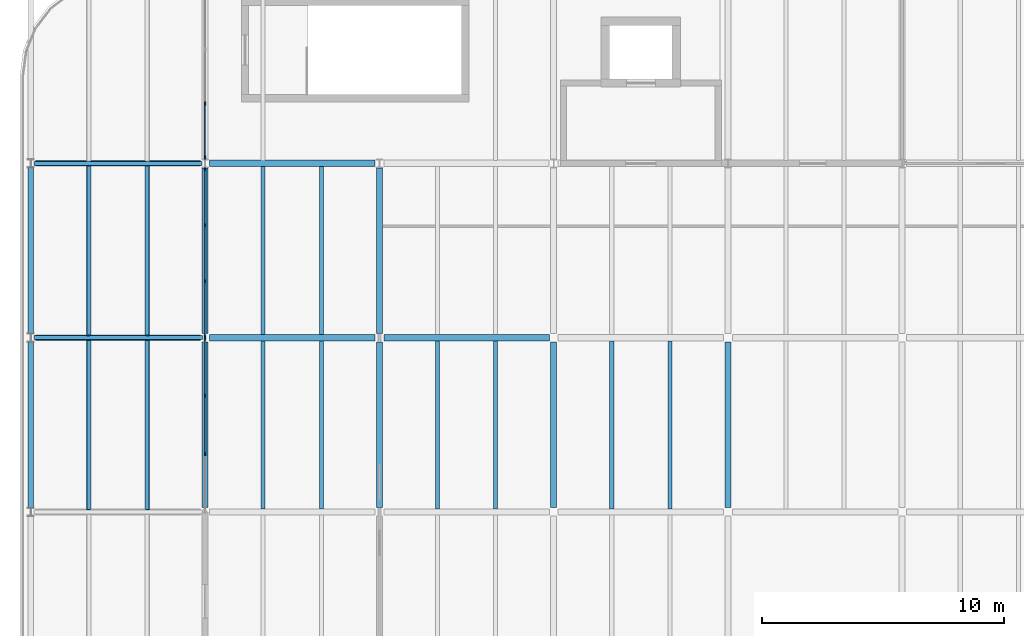
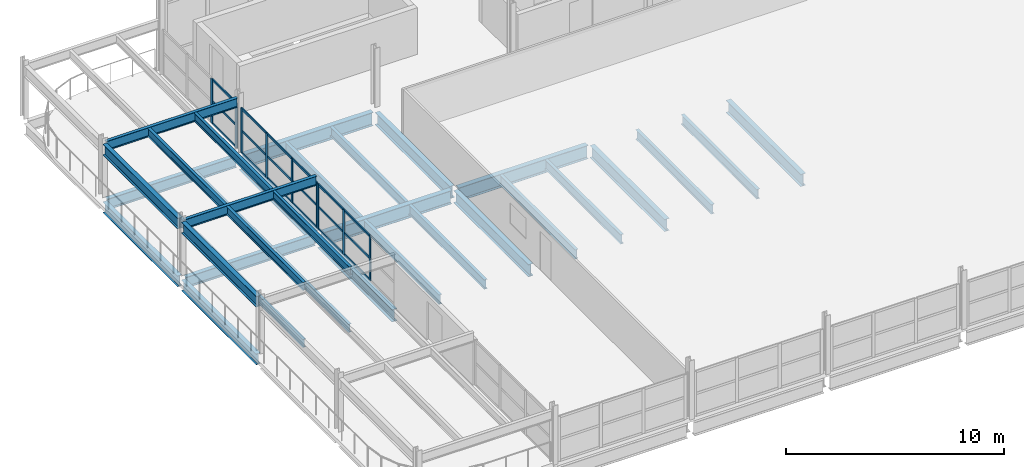
# One storey, part 8 of 25: 33 beams, 27 members, 3 elements without a shape of their own.
"""IFC4 building model written with IfcOpenShell, lengths in metres."""

from ifc_helpers import new_model, si_unit, direction, frame, origin, origin_2d, place, context, subcontext, project, spatial, rectangle, i_section, extrude, material, material_profile, profile_set, type_object, element, aggregate, save


model = new_model("IFC4")

# Units and contexts
model_context = context("Model", 3, precision=1e-05, world=origin(), true_north=direction((0.0, 1.0)))
body_context = subcontext(model_context, "Body", "Model", "MODEL_VIEW")
ifc_project = project(units=[si_unit("LENGTHUNIT", "METRE"), si_unit("AREAUNIT", "SQUARE_METRE"), si_unit("VOLUMEUNIT", "CUBIC_METRE"), si_unit("PLANEANGLEUNIT", "RADIAN"), si_unit("MASSUNIT", "GRAM", prefix="KILO")], contexts=[model_context])

# Site, building, storey
site_placement = place(None, origin())
site = spatial("IfcSite", under=ifc_project, at=site_placement, CompositionType="ELEMENT")
building_placement = place(site_placement, origin())
building = spatial("IfcBuilding", under=site, at=building_placement, Name="Vaelcorin Mobility Hub", CompositionType="ELEMENT")
storey_placement = place(building_placement, frame((0.0, 0.0, 21.0)))
storey = spatial("IfcBuildingStorey", under=building, at=storey_placement, Name="L05", CompositionType="ELEMENT", Elevation=21.0)

# Beams
ifc_material_1 = material(Name="Steel ASTM A992 Grade 50", Category="steel")
ifc_material_profile_1 = material_profile(ifc_material_1, i_section(OverallWidth=0.152099609375, OverallDepth=0.455078125, WebThickness=0.008056640625, FlangeThickness=0.01318359375, FilletRadius=0.012939453125, at=origin_2d()), Name="W18X40")
ifc_profile_set_1 = profile_set([ifc_material_profile_1], Name="Steel ASTM A992 Grade 50")
beam_type_1 = type_object("IfcBeamType", Name="BM-W18X40", PredefinedType="JOIST", material=ifc_profile_set_1)
for number, where, z_axis, x_axis, name in (
    (1, (38.39990234375, 98.511962890625, -0.447021484375), (0.0, 1.0, 0.0), (-1.0, 0.0, 0.0), "L05 Beam V3W-L05-J-01-03-1"),
    (2, (40.800048828125, 98.511962890625, -0.447021484375), (0.0, 1.0, 0.0), (-1.0, 0.0, 0.0), "L05 Beam V3W-L05-J-01-03-2"),
    (3, (38.39990234375, 105.7119140625, -0.447021484375), (0.0, 1.0, 0.0), (-1.0, 0.0, 0.0), "L05 Beam V3W-L05-J-01-04-1"),
    (4, (40.800048828125, 105.7119140625, -0.447021484375), (0.0, 1.0, 0.0), (-1.0, 0.0, 0.0), "L05 Beam V3W-L05-J-01-04-2"),
):
    element("IfcBeam", number, at=place(storey_placement, frame(where, z_axis=z_axis, x_axis=x_axis)), inside=storey, type_object=beam_type_1, Name=name, PredefinedType="JOIST", context=body_context, shape_type="SweptSolid", body=[
        extrude(i_section(OverallWidth=0.152099609375, OverallDepth=0.455078125, WebThickness=0.008056640625, FlangeThickness=0.01318359375, FilletRadius=0.012939453125, at=origin_2d()), origin(), (0.0, 0.0, 1.0), 6.97607421875),
    ])
for number, where, z_axis, x_axis, name in (
    (5, (38.3759765625, 98.48095703125, 2.77197265625), (0.0, 1.0, 0.0), (-1.0, 0.0, 0.0), "L05 Beam V3-PERG-J-W-03-1"),
    (6, (40.823974609375, 98.48095703125, 2.77197265625), (0.0, 1.0, 0.0), (-1.0, 0.0, 0.0), "L05 Beam V3-PERG-J-W-03-2"),
    (7, (38.3759765625, 105.680908203125, 2.77197265625), (0.0, 1.0, 0.0), (-1.0, 0.0, 0.0), "L05 Beam V3-PERG-J-W-04-1"),
    (8, (40.823974609375, 105.680908203125, 2.77197265625), (0.0, 1.0, 0.0), (-1.0, 0.0, 0.0), "L05 Beam V3-PERG-J-W-04-2"),
):
    element("IfcBeam", number, at=place(storey_placement, frame(where, z_axis=z_axis, x_axis=x_axis)), inside=storey, type_object=beam_type_1, Name=name, PredefinedType="JOIST", context=body_context, shape_type="SweptSolid", body=[
        extrude(i_section(OverallWidth=0.152099609375, OverallDepth=0.455078125, WebThickness=0.008056640625, FlangeThickness=0.01318359375, FilletRadius=0.012939453125, at=origin_2d()), origin(), (0.0, 0.0, 1.0), 7.0380859375),
    ])
ifc_material_profile_2 = material_profile(ifc_material_1, i_section(OverallWidth=0.166015625, OverallDepth=0.528076171875, WebThickness=0.009765625, FlangeThickness=0.013671875, FilletRadius=0.013916015625, at=origin_2d()), Name="W21X50")
ifc_profile_set_2 = profile_set([ifc_material_profile_2], Name="Steel ASTM A992 Grade 50")
beam_type_2 = type_object("IfcBeamType", Name="BM-W21X50", PredefinedType="JOIST", material=ifc_profile_set_2)
for number, where, z_axis, x_axis, name in (
    (9, (45.60009765625, 98.531982421875, -0.52392578125), (0.0, 1.0, 0.0), (-1.0, 0.0, 0.0), "L05 Beam V3-L05-J-01-03-1"),
    (10, (48.0, 98.531982421875, -0.52392578125), (0.0, 1.0, 0.0), (-1.0, 0.0, 0.0), "L05 Beam V3-L05-J-01-03-2"),
    (11, (45.60009765625, 105.73193359375, -0.52392578125), (0.0, 1.0, 0.0), (-1.0, 0.0, 0.0), "L05 Beam V3-L05-J-01-04-1"),
    (12, (48.0, 105.73193359375, -0.52392578125), (0.0, 1.0, 0.0), (-1.0, 0.0, 0.0), "L05 Beam V3-L05-J-01-04-2"),
    (13, (52.800048828125, 98.531982421875, -0.52392578125), (0.0, 1.0, 0.0), (-1.0, 0.0, 0.0), "L05 Beam V3-L05-J-02-03-1"),
    (14, (55.199951171875, 98.531982421875, -0.52392578125), (0.0, 1.0, 0.0), (-1.0, 0.0, 0.0), "L05 Beam V3-L05-J-02-03-2"),
    (15, (60.0, 98.531982421875, -0.52392578125), (0.0, 1.0, 0.0), (-1.0, 0.0, 0.0), "L05 Beam V3-L05-J-03-03-1"),
    (16, (62.39990234375, 98.531982421875, -0.52392578125), (0.0, 1.0, 0.0), (-1.0, 0.0, 0.0), "L05 Beam V3-L05-J-03-03-2"),
):
    element("IfcBeam", number, at=place(storey_placement, frame(where, z_axis=z_axis, x_axis=x_axis)), inside=storey, type_object=beam_type_2, Name=name, PredefinedType="JOIST", context=body_context, shape_type="SweptSolid", body=[
        extrude(i_section(OverallWidth=0.166015625, OverallDepth=0.528076171875, WebThickness=0.009765625, FlangeThickness=0.013671875, FilletRadius=0.013916015625, at=origin_2d()), origin(), (0.0, 0.0, 1.0), 6.93603515625),
    ])
beam_1_placement = place(storey_placement, frame((36.125, 105.60009765625, 2.736083984375), z_axis=(1.0, 0.0, 0.0), x_axis=(0.0, 1.0, 0.0)))
element("IfcBeam", 17, at=beam_1_placement, inside=storey, type_object=beam_type_2, Name="L05 Beam V3-PERG-GX-01-03", PredefinedType="JOIST", context=body_context, shape_type="SweptSolid", body=[
    extrude(i_section(OverallWidth=0.166015625, OverallDepth=0.528076171875, WebThickness=0.009765625, FlangeThickness=0.013671875, FilletRadius=0.013916015625, at=origin_2d()), origin(), (0.0, 0.0, 1.0), 6.97509765625),
])
beam_2_placement = place(storey_placement, frame((36.125, 112.800048828125, 2.736083984375), z_axis=(1.0, 0.0, 0.0), x_axis=(0.0, 1.0, 0.0)))
element("IfcBeam", 18, at=beam_2_placement, inside=storey, type_object=beam_type_2, Name="L05 Beam V3-PERG-GX-01-04", PredefinedType="JOIST", context=body_context, shape_type="SweptSolid", body=[
    extrude(i_section(OverallWidth=0.166015625, OverallDepth=0.528076171875, WebThickness=0.009765625, FlangeThickness=0.013671875, FilletRadius=0.013916015625, at=origin_2d()), origin(), (0.0, 0.0, 1.0), 6.948974609375),
])
ifc_material_profile_3 = material_profile(ifc_material_1, i_section(OverallWidth=0.22802734375, OverallDepth=0.60205078125, WebThickness=0.010498046875, FlangeThickness=0.014892578125, FilletRadius=0.014892578125, at=origin_2d()), Name="W24X68")
ifc_profile_set_3 = profile_set([ifc_material_profile_3], Name="Steel ASTM A992 Grade 50")
beam_type_3 = type_object("IfcBeamType", Name="BM-W24X68", PredefinedType="SPANDREL", material=ifc_profile_set_3)
beam_3_placement = place(storey_placement, frame((36.0, 98.575927734375, -0.52099609375), z_axis=(0.0, 1.0, 0.0), x_axis=(-1.0, 0.0, 0.0)))
element("IfcBeam", 19, at=beam_3_placement, inside=storey, type_object=beam_type_3, Name="L05 Beam V3W-L05-GY-01-03", PredefinedType="SPANDREL", context=body_context, shape_type="SweptSolid", body=[
    extrude(i_section(OverallWidth=0.22802734375, OverallDepth=0.60205078125, WebThickness=0.010498046875, FlangeThickness=0.014892578125, FilletRadius=0.014892578125, at=origin_2d()), origin(), (0.0, 0.0, 1.0), 6.84814453125),
])
beam_4_placement = place(storey_placement, frame((36.0, 105.77587890625, -0.52099609375), z_axis=(0.0, 1.0, 0.0), x_axis=(-1.0, 0.0, 0.0)))
element("IfcBeam", 20, at=beam_4_placement, inside=storey, type_object=beam_type_3, Name="L05 Beam V3W-L05-GY-01-04", PredefinedType="SPANDREL", context=body_context, shape_type="SweptSolid", body=[
    extrude(i_section(OverallWidth=0.22802734375, OverallDepth=0.60205078125, WebThickness=0.010498046875, FlangeThickness=0.014892578125, FilletRadius=0.014892578125, at=origin_2d()), origin(), (0.0, 0.0, 1.0), 6.84423828125),
])
for number, where, z_axis, x_axis, name in (
    (21, (36.0, 98.575927734375, 2.698974609375), (0.0, 1.0, 0.0), (-1.0, 0.0, 0.0), "L05 Beam V3-PERG-GY-W-03"),
    (22, (36.0, 105.77587890625, 2.698974609375), (0.0, 1.0, 0.0), (-1.0, 0.0, 0.0), "L05 Beam V3-PERG-GY-W-04"),
):
    element("IfcBeam", number, at=place(storey_placement, frame(where, z_axis=z_axis, x_axis=x_axis)), inside=storey, type_object=beam_type_3, Name=name, PredefinedType="SPANDREL", context=body_context, shape_type="SweptSolid", body=[
        extrude(i_section(OverallWidth=0.22802734375, OverallDepth=0.60205078125, WebThickness=0.010498046875, FlangeThickness=0.014892578125, FilletRadius=0.014892578125, at=origin_2d()), origin(), (0.0, 0.0, 1.0), 6.84814453125),
    ])
ifc_material_profile_4 = material_profile(ifc_material_1, i_section(OverallWidth=0.22900390625, OverallDepth=0.612060546875, WebThickness=0.011962890625, FlangeThickness=0.01953125, FilletRadius=0.014892578125, at=origin_2d()), Name="W24X84")
ifc_profile_set_4 = profile_set([ifc_material_profile_4], Name="Steel ASTM A992 Grade 50")
beam_type_4 = type_object("IfcBeamType", Name="BM-W24X84", PredefinedType="BEAM", material=ifc_profile_set_4)
beam_5_placement = place(storey_placement, frame((36.181884765625, 105.60009765625, -0.52587890625), z_axis=(1.0, 0.0, 0.0), x_axis=(0.0, 1.0, 0.0)))
element("IfcBeam", 23, at=beam_5_placement, inside=storey, type_object=beam_type_4, Name="L05 Beam V3W-L05-GX-04-01", PredefinedType="BEAM", context=body_context, shape_type="SweptSolid", body=[
    extrude(i_section(OverallWidth=0.22900390625, OverallDepth=0.612060546875, WebThickness=0.011962890625, FlangeThickness=0.01953125, FilletRadius=0.014892578125, at=origin_2d()), origin(), (0.0, 0.0, 1.0), 6.836181640625),
])
beam_6_placement = place(storey_placement, frame((36.18408203125, 112.800048828125, -0.52587890625), z_axis=(1.0, 0.0, 0.0), x_axis=(0.0, 1.0, 0.0)))
element("IfcBeam", 24, at=beam_6_placement, inside=storey, type_object=beam_type_4, Name="L05 Beam V3W-L05-GX-05-01", PredefinedType="BEAM", context=body_context, shape_type="SweptSolid", body=[
    extrude(i_section(OverallWidth=0.22900390625, OverallDepth=0.612060546875, WebThickness=0.011962890625, FlangeThickness=0.01953125, FilletRadius=0.014892578125, at=origin_2d()), origin(), (0.0, 0.0, 1.0), 6.83203125),
])
ifc_material_profile_5 = material_profile(ifc_material_1, i_section(OverallWidth=0.25390625, OverallDepth=0.68310546875, WebThickness=0.012451171875, FlangeThickness=0.018798828125, FilletRadius=0.01611328125, at=origin_2d()), Name="W27X94")
ifc_profile_set_5 = profile_set([ifc_material_profile_5], Name="Steel ASTM A992 Grade 50")
beam_type_5 = type_object("IfcBeamType", Name="BM-W27X94", PredefinedType="BEAM", material=ifc_profile_set_5)
beam_7_placement = place(storey_placement, frame((43.199951171875, 98.575927734375, -0.60205078125), z_axis=(0.0, 1.0, 0.0), x_axis=(-1.0, 0.0, 0.0)))
element("IfcBeam", 25, at=beam_7_placement, inside=storey, type_object=beam_type_5, Name="L05 Beam V3-L05-GY-01-03", PredefinedType="BEAM", context=body_context, shape_type="SweptSolid", body=[
    extrude(i_section(OverallWidth=0.25390625, OverallDepth=0.68310546875, WebThickness=0.012451171875, FlangeThickness=0.018798828125, FilletRadius=0.01611328125, at=origin_2d()), origin(), (0.0, 0.0, 1.0), 6.84814453125),
])
beam_8_placement = place(storey_placement, frame((43.199951171875, 105.77587890625, -0.60205078125), z_axis=(0.0, 1.0, 0.0), x_axis=(-1.0, 0.0, 0.0)))
element("IfcBeam", 26, at=beam_8_placement, inside=storey, type_object=beam_type_5, Name="L05 Beam V3-L05-GY-01-04", PredefinedType="BEAM", context=body_context, shape_type="SweptSolid", body=[
    extrude(i_section(OverallWidth=0.25390625, OverallDepth=0.68310546875, WebThickness=0.012451171875, FlangeThickness=0.018798828125, FilletRadius=0.01611328125, at=origin_2d()), origin(), (0.0, 0.0, 1.0), 6.84423828125),
])
beam_9_placement = place(storey_placement, frame((50.39990234375, 98.575927734375, -0.60205078125), z_axis=(0.0, 1.0, 0.0), x_axis=(-1.0, 0.0, 0.0)))
element("IfcBeam", 27, at=beam_9_placement, inside=storey, type_object=beam_type_5, Name="L05 Beam V3-L05-GY-02-03", PredefinedType="BEAM", context=body_context, shape_type="SweptSolid", body=[
    extrude(i_section(OverallWidth=0.25390625, OverallDepth=0.68310546875, WebThickness=0.012451171875, FlangeThickness=0.018798828125, FilletRadius=0.01611328125, at=origin_2d()), origin(), (0.0, 0.0, 1.0), 6.84814453125),
])
beam_10_placement = place(storey_placement, frame((50.39990234375, 105.77587890625, -0.60205078125), z_axis=(0.0, 1.0, 0.0), x_axis=(-1.0, 0.0, 0.0)))
element("IfcBeam", 28, at=beam_10_placement, inside=storey, type_object=beam_type_5, Name="L05 Beam V3-L05-GY-02-04", PredefinedType="BEAM", context=body_context, shape_type="SweptSolid", body=[
    extrude(i_section(OverallWidth=0.25390625, OverallDepth=0.68310546875, WebThickness=0.012451171875, FlangeThickness=0.018798828125, FilletRadius=0.01611328125, at=origin_2d()), origin(), (0.0, 0.0, 1.0), 6.84423828125),
])
for number, where, z_axis, x_axis, name in (
    (29, (57.60009765625, 98.575927734375, -0.60205078125), (0.0, 1.0, 0.0), (-1.0, 0.0, 0.0), "L05 Beam V3-L05-GY-03-03"),
    (30, (64.800048828125, 98.575927734375, -0.60205078125), (0.0, 1.0, 0.0), (-1.0, 0.0, 0.0), "L05 Beam V3-L05-GY-04-03"),
):
    element("IfcBeam", number, at=place(storey_placement, frame(where, z_axis=z_axis, x_axis=x_axis)), inside=storey, type_object=beam_type_5, Name=name, PredefinedType="BEAM", context=body_context, shape_type="SweptSolid", body=[
        extrude(i_section(OverallWidth=0.25390625, OverallDepth=0.68310546875, WebThickness=0.012451171875, FlangeThickness=0.018798828125, FilletRadius=0.01611328125, at=origin_2d()), origin(), (0.0, 0.0, 1.0), 6.84814453125),
    ])
ifc_material_profile_6 = material_profile(ifc_material_1, i_section(OverallWidth=0.26708984375, OverallDepth=0.757080078125, WebThickness=0.013916015625, FlangeThickness=0.019287109375, FilletRadius=0.01708984375, at=origin_2d()), Name="W30X108")
ifc_profile_set_6 = profile_set([ifc_material_profile_6], Name="Steel ASTM A992 Grade 50")
beam_type_6 = type_object("IfcBeamType", Name="BM-W30X108", PredefinedType="BEAM", material=ifc_profile_set_6)
for number, where, z_axis, x_axis, name in (
    (31, (43.382080078125, 105.60009765625, -0.637939453125), (1.0, 0.0, 0.0), (0.0, 1.0, 0.0), "L05 Beam V3-L05-GX-04-01"),
    (32, (50.58203125, 105.60009765625, -0.637939453125), (1.0, 0.0, 0.0), (0.0, 1.0, 0.0), "L05 Beam V3-L05-GX-04-02"),
):
    element("IfcBeam", number, at=place(storey_placement, frame(where, z_axis=z_axis, x_axis=x_axis)), inside=storey, type_object=beam_type_6, Name=name, PredefinedType="BEAM", context=body_context, shape_type="SweptSolid", body=[
        extrude(i_section(OverallWidth=0.26708984375, OverallDepth=0.757080078125, WebThickness=0.013916015625, FlangeThickness=0.019287109375, FilletRadius=0.01708984375, at=origin_2d()), origin(), (0.0, 0.0, 1.0), 6.8359375),
    ])
beam_11_placement = place(storey_placement, frame((43.384033203125, 112.800048828125, -0.637939453125), z_axis=(1.0, 0.0, 0.0), x_axis=(0.0, 1.0, 0.0)))
element("IfcBeam", 33, at=beam_11_placement, inside=storey, type_object=beam_type_6, Name="L05 Beam V3-L05-GX-05-01", PredefinedType="BEAM", context=body_context, shape_type="SweptSolid", body=[
    extrude(i_section(OverallWidth=0.26708984375, OverallDepth=0.757080078125, WebThickness=0.013916015625, FlangeThickness=0.019287109375, FilletRadius=0.01708984375, at=origin_2d()), origin(), (0.0, 0.0, 1.0), 6.83203125),
])

# Curtain wall, members
ifc_material_2 = material(Name="Anodised aluminium 6063-T6", Category="aluminium")
curtain_wall_type = type_object("IfcCurtainWallType", Name="CW-SPT-A", PredefinedType="NOTDEFINED", material=ifc_material_2)
curtain_wall_1_placement = place(storey_placement, origin())
curtain_wall_1 = element("IfcCurtainWall", 34, at=curtain_wall_1_placement, inside=storey, type_object=curtain_wall_type, Name="L05 Curtain Wall CW-V3-W-03", PredefinedType="NOTDEFINED")
ifc_material_profile_7 = material_profile(ifc_material_2, rectangle(XDim=0.06005859375, YDim=0.159912109375, at=origin_2d()), Name="ALU-M60X160")
ifc_profile_set_7 = profile_set([ifc_material_profile_7], Name="Anodised aluminium 6063-T6")
member_type_1 = type_object("IfcMemberType", Name="CW-MULL-160", PredefinedType="MULLION", material=ifc_profile_set_7)
member_1_placement = place(storey_placement, frame((43.199951171875, 100.80078125, 0.0), z_axis=(0.0, 0.0, 1.0), x_axis=(-1.0, 0.0, 0.0)))
member_1 = element("IfcMember", 35, at=member_1_placement, type_object=member_type_1, Name="CW5 mullion 2", PredefinedType="MULLION", context=body_context, shape_type="SweptSolid", body=[
    extrude(rectangle(XDim=0.06005859375, YDim=0.159912109375, at=origin_2d()), origin(), (0.0, 0.0, 1.0), 2.5),
])
member_2_placement = place(storey_placement, frame((43.199951171875, 103.19921875, 0.0), z_axis=(0.0, 0.0, 1.0), x_axis=(-1.0, 0.0, 0.0)))
member_2 = element("IfcMember", 36, at=member_2_placement, type_object=member_type_1, Name="CW5 mullion 3", PredefinedType="MULLION", context=body_context, shape_type="SweptSolid", body=[
    extrude(rectangle(XDim=0.06005859375, YDim=0.159912109375, at=origin_2d()), origin(), (0.0, 0.0, 1.0), 2.5),
])
member_3_placement = place(storey_placement, frame((43.199951171875, 105.568115234375, 0.0), z_axis=(0.0, 0.0, 1.0), x_axis=(-1.0, 0.0, 0.0)))
member_3 = element("IfcMember", 37, at=member_3_placement, type_object=member_type_1, Name="CW5 mullion 4", PredefinedType="MULLION", context=body_context, shape_type="SweptSolid", body=[
    extrude(rectangle(XDim=0.06005859375, YDim=0.159912109375, at=origin_2d()), origin(), (0.0, 0.0, 1.0), 2.5),
])

curtain_wall_2_placement = place(storey_placement, origin())
curtain_wall_2 = element("IfcCurtainWall", 38, at=curtain_wall_2_placement, inside=storey, type_object=curtain_wall_type, Name="L05 Curtain Wall CW-V3-W-04", PredefinedType="NOTDEFINED")
member_4_placement = place(storey_placement, frame((43.199951171875, 105.632080078125, 0.0), z_axis=(0.0, 0.0, 1.0), x_axis=(-1.0, 0.0, 0.0)))
member_4 = element("IfcMember", 39, at=member_4_placement, type_object=member_type_1, Name="CW5 mullion 1", PredefinedType="MULLION", context=body_context, shape_type="SweptSolid", body=[
    extrude(rectangle(XDim=0.06005859375, YDim=0.159912109375, at=origin_2d()), origin(), (0.0, 0.0, 1.0), 2.5),
])
member_5_placement = place(storey_placement, frame((43.199951171875, 107.927978515625, 0.0), z_axis=(0.0, 0.0, 1.0), x_axis=(-1.0, 0.0, 0.0)))
member_5 = element("IfcMember", 40, at=member_5_placement, type_object=member_type_1, Name="CW5 mullion 2", PredefinedType="MULLION", context=body_context, shape_type="SweptSolid", body=[
    extrude(rectangle(XDim=0.06005859375, YDim=0.159912109375, at=origin_2d()), origin(), (0.0, 0.0, 1.0), 2.5),
])
member_6_placement = place(storey_placement, frame((43.199951171875, 110.25390625, 0.0), z_axis=(0.0, 0.0, 1.0), x_axis=(-1.0, 0.0, 0.0)))
member_6 = element("IfcMember", 41, at=member_6_placement, type_object=member_type_1, Name="CW5 mullion 3", PredefinedType="MULLION", context=body_context, shape_type="SweptSolid", body=[
    extrude(rectangle(XDim=0.06005859375, YDim=0.159912109375, at=origin_2d()), origin(), (0.0, 0.0, 1.0), 2.5),
])
member_7_placement = place(storey_placement, frame((43.199951171875, 112.550048828125, 0.0), z_axis=(0.0, 0.0, 1.0), x_axis=(-1.0, 0.0, 0.0)))
member_7 = element("IfcMember", 42, at=member_7_placement, type_object=member_type_1, Name="CW5 mullion 4", PredefinedType="MULLION", context=body_context, shape_type="SweptSolid", body=[
    extrude(rectangle(XDim=0.06005859375, YDim=0.159912109375, at=origin_2d()), origin(), (0.0, 0.0, 1.0), 2.5),
])

curtain_wall_3_placement = place(storey_placement, origin())
curtain_wall_3 = element("IfcCurtainWall", 43, at=curtain_wall_3_placement, inside=storey, type_object=curtain_wall_type, Name="L05 Curtain Wall CW-V3-W-05", PredefinedType="NOTDEFINED")
member_8_placement = place(storey_placement, frame((43.199951171875, 113.050048828125, 0.0), z_axis=(0.0, 0.0, 1.0), x_axis=(-1.0, 0.0, 0.0)))
member_8 = element("IfcMember", 44, at=member_8_placement, type_object=member_type_1, Name="CW5 mullion 1", PredefinedType="MULLION", context=body_context, shape_type="SweptSolid", body=[
    extrude(rectangle(XDim=0.06005859375, YDim=0.159912109375, at=origin_2d()), origin(), (0.0, 0.0, 1.0), 2.5),
])
member_9_placement = place(storey_placement, frame((43.199951171875, 115.2734375, 0.0), z_axis=(0.0, 0.0, 1.0), x_axis=(-1.0, 0.0, 0.0)))
member_9 = element("IfcMember", 45, at=member_9_placement, type_object=member_type_1, Name="CW5 mullion 2", PredefinedType="MULLION", context=body_context, shape_type="SweptSolid", body=[
    extrude(rectangle(XDim=0.06005859375, YDim=0.159912109375, at=origin_2d()), origin(), (0.0, 0.0, 1.0), 2.5),
])

# Member
ifc_material_profile_8 = material_profile(ifc_material_2, rectangle(XDim=0.06005859375, YDim=0.1201171875, at=origin_2d()), Name="ALU-T60X120")
ifc_profile_set_8 = profile_set([ifc_material_profile_8], Name="Anodised aluminium 6063-T6")
member_type_2 = type_object("IfcMemberType", Name="CW-TRAN-140", PredefinedType="USERDEFINED", material=ifc_profile_set_8)
member_10_placement = place(storey_placement, frame((43.199951171875, 100.83056640625, 0.030029296875), z_axis=(0.0, 1.0, 0.0), x_axis=(-1.0, 0.0, 0.0)))
member_10 = element("IfcMember", 46, at=member_10_placement, type_object=member_type_2, Name="CW5 transom 2.1", ObjectType="TRANSOM", PredefinedType="USERDEFINED", context=body_context, shape_type="SweptSolid", body=[
    extrude(rectangle(XDim=0.06005859375, YDim=0.1201171875, at=origin_2d()), origin(), (0.0, 0.0, 1.0), 2.3388671875),
])

member_11_placement = place(storey_placement, frame((43.199951171875, 100.83056640625, 1.25), z_axis=(0.0, 1.0, 0.0), x_axis=(-1.0, 0.0, 0.0)))
member_11 = element("IfcMember", 47, at=member_11_placement, type_object=member_type_2, Name="CW5 transom 2.2", ObjectType="TRANSOM", PredefinedType="USERDEFINED", context=body_context, shape_type="SweptSolid", body=[
    extrude(rectangle(XDim=0.06005859375, YDim=0.1201171875, at=origin_2d()), origin(), (0.0, 0.0, 1.0), 2.3388671875),
])

member_12_placement = place(storey_placement, frame((43.199951171875, 100.83056640625, 2.469970703125), z_axis=(0.0, 1.0, 0.0), x_axis=(-1.0, 0.0, 0.0)))
member_12 = element("IfcMember", 48, at=member_12_placement, type_object=member_type_2, Name="CW5 transom 2.3", ObjectType="TRANSOM", PredefinedType="USERDEFINED", context=body_context, shape_type="SweptSolid", body=[
    extrude(rectangle(XDim=0.06005859375, YDim=0.1201171875, at=origin_2d()), origin(), (0.0, 0.0, 1.0), 2.3388671875),
])

member_13_placement = place(storey_placement, frame((43.199951171875, 103.229248046875, 0.030029296875), z_axis=(0.0, 1.0, 0.0), x_axis=(-1.0, 0.0, 0.0)))
member_13 = element("IfcMember", 49, at=member_13_placement, type_object=member_type_2, Name="CW5 transom 3.1", ObjectType="TRANSOM", PredefinedType="USERDEFINED", context=body_context, shape_type="SweptSolid", body=[
    extrude(rectangle(XDim=0.06005859375, YDim=0.1201171875, at=origin_2d()), origin(), (0.0, 0.0, 1.0), 2.308837890625),
])

member_14_placement = place(storey_placement, frame((43.199951171875, 103.229248046875, 1.25), z_axis=(0.0, 1.0, 0.0), x_axis=(-1.0, 0.0, 0.0)))
member_14 = element("IfcMember", 50, at=member_14_placement, type_object=member_type_2, Name="CW5 transom 3.2", ObjectType="TRANSOM", PredefinedType="USERDEFINED", context=body_context, shape_type="SweptSolid", body=[
    extrude(rectangle(XDim=0.06005859375, YDim=0.1201171875, at=origin_2d()), origin(), (0.0, 0.0, 1.0), 2.308837890625),
])

member_15_placement = place(storey_placement, frame((43.199951171875, 103.229248046875, 2.469970703125), z_axis=(0.0, 1.0, 0.0), x_axis=(-1.0, 0.0, 0.0)))
member_15 = element("IfcMember", 51, at=member_15_placement, type_object=member_type_2, Name="CW5 transom 3.3", ObjectType="TRANSOM", PredefinedType="USERDEFINED", context=body_context, shape_type="SweptSolid", body=[
    extrude(rectangle(XDim=0.06005859375, YDim=0.1201171875, at=origin_2d()), origin(), (0.0, 0.0, 1.0), 2.308837890625),
])

aggregate(curtain_wall_1, [member_1, member_2, member_3, member_10, member_11, member_12, member_13, member_14, member_15])

member_16_placement = place(storey_placement, frame((43.199951171875, 105.662109375, 0.030029296875), z_axis=(0.0, 1.0, 0.0), x_axis=(-1.0, 0.0, 0.0)))
member_16 = element("IfcMember", 52, at=member_16_placement, type_object=member_type_2, Name="CW5 transom 1.1", ObjectType="TRANSOM", PredefinedType="USERDEFINED", context=body_context, shape_type="SweptSolid", body=[
    extrude(rectangle(XDim=0.06005859375, YDim=0.1201171875, at=origin_2d()), origin(), (0.0, 0.0, 1.0), 2.23583984375),
])

member_17_placement = place(storey_placement, frame((43.199951171875, 105.662109375, 1.25), z_axis=(0.0, 1.0, 0.0), x_axis=(-1.0, 0.0, 0.0)))
member_17 = element("IfcMember", 53, at=member_17_placement, type_object=member_type_2, Name="CW5 transom 1.2", ObjectType="TRANSOM", PredefinedType="USERDEFINED", context=body_context, shape_type="SweptSolid", body=[
    extrude(rectangle(XDim=0.06005859375, YDim=0.1201171875, at=origin_2d()), origin(), (0.0, 0.0, 1.0), 2.23583984375),
])

member_18_placement = place(storey_placement, frame((43.199951171875, 105.662109375, 2.469970703125), z_axis=(0.0, 1.0, 0.0), x_axis=(-1.0, 0.0, 0.0)))
member_18 = element("IfcMember", 54, at=member_18_placement, type_object=member_type_2, Name="CW5 transom 1.3", ObjectType="TRANSOM", PredefinedType="USERDEFINED", context=body_context, shape_type="SweptSolid", body=[
    extrude(rectangle(XDim=0.06005859375, YDim=0.1201171875, at=origin_2d()), origin(), (0.0, 0.0, 1.0), 2.23583984375),
])

member_19_placement = place(storey_placement, frame((43.199951171875, 107.9580078125, 0.030029296875), z_axis=(0.0, 1.0, 0.0), x_axis=(-1.0, 0.0, 0.0)))
member_19 = element("IfcMember", 55, at=member_19_placement, type_object=member_type_2, Name="CW5 transom 2.1", ObjectType="TRANSOM", PredefinedType="USERDEFINED", context=body_context, shape_type="SweptSolid", body=[
    extrude(rectangle(XDim=0.06005859375, YDim=0.1201171875, at=origin_2d()), origin(), (0.0, 0.0, 1.0), 2.26611328125),
])

member_20_placement = place(storey_placement, frame((43.199951171875, 107.9580078125, 1.25), z_axis=(0.0, 1.0, 0.0), x_axis=(-1.0, 0.0, 0.0)))
member_20 = element("IfcMember", 56, at=member_20_placement, type_object=member_type_2, Name="CW5 transom 2.2", ObjectType="TRANSOM", PredefinedType="USERDEFINED", context=body_context, shape_type="SweptSolid", body=[
    extrude(rectangle(XDim=0.06005859375, YDim=0.1201171875, at=origin_2d()), origin(), (0.0, 0.0, 1.0), 2.26611328125),
])

member_21_placement = place(storey_placement, frame((43.199951171875, 107.9580078125, 2.469970703125), z_axis=(0.0, 1.0, 0.0), x_axis=(-1.0, 0.0, 0.0)))
member_21 = element("IfcMember", 57, at=member_21_placement, type_object=member_type_2, Name="CW5 transom 2.3", ObjectType="TRANSOM", PredefinedType="USERDEFINED", context=body_context, shape_type="SweptSolid", body=[
    extrude(rectangle(XDim=0.06005859375, YDim=0.1201171875, at=origin_2d()), origin(), (0.0, 0.0, 1.0), 2.26611328125),
])

member_22_placement = place(storey_placement, frame((43.199951171875, 110.283935546875, 0.030029296875), z_axis=(0.0, 1.0, 0.0), x_axis=(-1.0, 0.0, 0.0)))
member_22 = element("IfcMember", 58, at=member_22_placement, type_object=member_type_2, Name="CW5 transom 3.1", ObjectType="TRANSOM", PredefinedType="USERDEFINED", context=body_context, shape_type="SweptSolid", body=[
    extrude(rectangle(XDim=0.06005859375, YDim=0.1201171875, at=origin_2d()), origin(), (0.0, 0.0, 1.0), 2.236083984375),
])

member_23_placement = place(storey_placement, frame((43.199951171875, 110.283935546875, 1.25), z_axis=(0.0, 1.0, 0.0), x_axis=(-1.0, 0.0, 0.0)))
member_23 = element("IfcMember", 59, at=member_23_placement, type_object=member_type_2, Name="CW5 transom 3.2", ObjectType="TRANSOM", PredefinedType="USERDEFINED", context=body_context, shape_type="SweptSolid", body=[
    extrude(rectangle(XDim=0.06005859375, YDim=0.1201171875, at=origin_2d()), origin(), (0.0, 0.0, 1.0), 2.236083984375),
])

member_24_placement = place(storey_placement, frame((43.199951171875, 110.283935546875, 2.469970703125), z_axis=(0.0, 1.0, 0.0), x_axis=(-1.0, 0.0, 0.0)))
member_24 = element("IfcMember", 60, at=member_24_placement, type_object=member_type_2, Name="CW5 transom 3.3", ObjectType="TRANSOM", PredefinedType="USERDEFINED", context=body_context, shape_type="SweptSolid", body=[
    extrude(rectangle(XDim=0.06005859375, YDim=0.1201171875, at=origin_2d()), origin(), (0.0, 0.0, 1.0), 2.236083984375),
])

aggregate(curtain_wall_2, [member_4, member_5, member_6, member_7, member_16, member_17, member_18, member_19, member_20, member_21, member_22, member_23, member_24])

member_25_placement = place(storey_placement, frame((43.199951171875, 113.080078125, 0.030029296875), z_axis=(0.0, 1.0, 0.0), x_axis=(-1.0, 0.0, 0.0)))
member_25 = element("IfcMember", 61, at=member_25_placement, type_object=member_type_2, Name="CW5 transom 1.1", ObjectType="TRANSOM", PredefinedType="USERDEFINED", context=body_context, shape_type="SweptSolid", body=[
    extrude(rectangle(XDim=0.06005859375, YDim=0.1201171875, at=origin_2d()), origin(), (0.0, 0.0, 1.0), 2.163330078125),
])

member_26_placement = place(storey_placement, frame((43.199951171875, 113.080078125, 1.25), z_axis=(0.0, 1.0, 0.0), x_axis=(-1.0, 0.0, 0.0)))
member_26 = element("IfcMember", 62, at=member_26_placement, type_object=member_type_2, Name="CW5 transom 1.2", ObjectType="TRANSOM", PredefinedType="USERDEFINED", context=body_context, shape_type="SweptSolid", body=[
    extrude(rectangle(XDim=0.06005859375, YDim=0.1201171875, at=origin_2d()), origin(), (0.0, 0.0, 1.0), 2.163330078125),
])

member_27_placement = place(storey_placement, frame((43.199951171875, 113.080078125, 2.469970703125), z_axis=(0.0, 1.0, 0.0), x_axis=(-1.0, 0.0, 0.0)))
member_27 = element("IfcMember", 63, at=member_27_placement, type_object=member_type_2, Name="CW5 transom 1.3", ObjectType="TRANSOM", PredefinedType="USERDEFINED", context=body_context, shape_type="SweptSolid", body=[
    extrude(rectangle(XDim=0.06005859375, YDim=0.1201171875, at=origin_2d()), origin(), (0.0, 0.0, 1.0), 2.163330078125),
])

aggregate(curtain_wall_3, [member_8, member_9, member_25, member_26, member_27])

save(model, "model.ifc")
